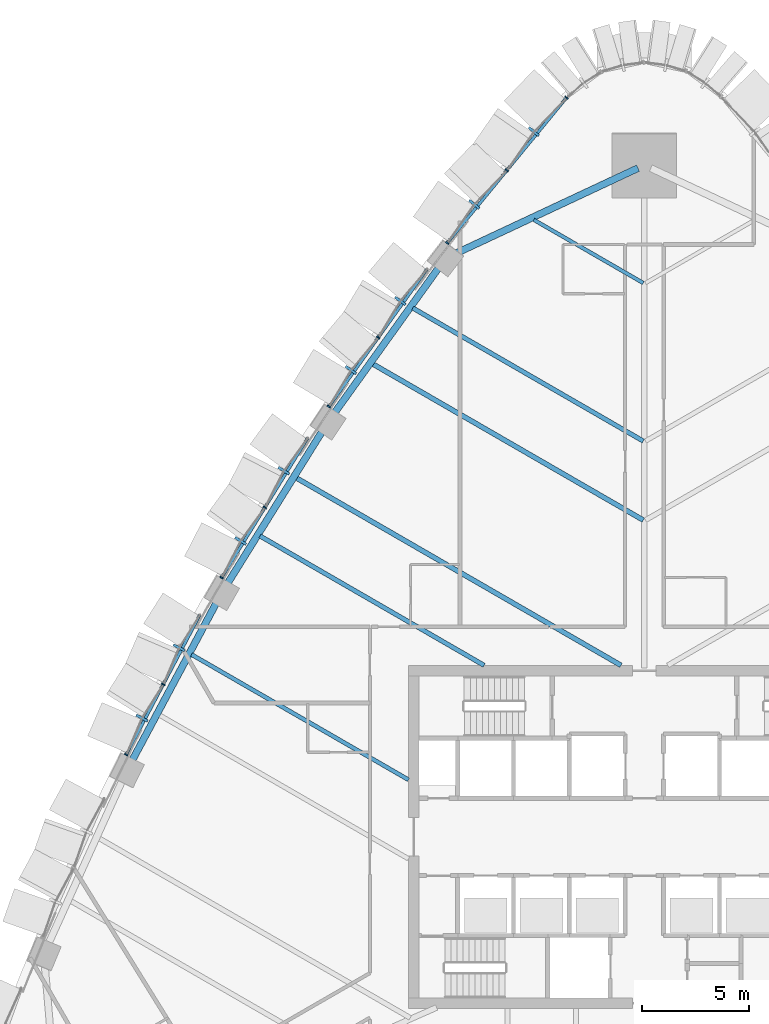
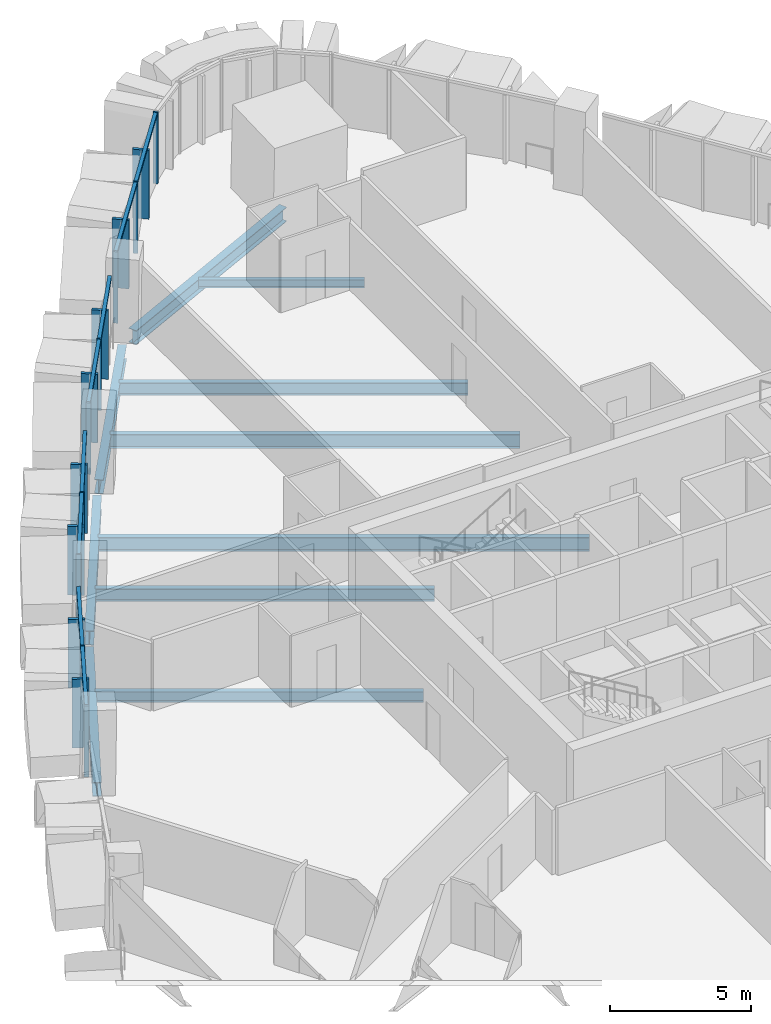
# One storey, part 6 of 23: 25 members, 10 beams, 4 elements without a shape of their own.
"""IFC4 building model written with IfcOpenShell, lengths in metres."""

from ifc_helpers import new_model, si_unit, direction, frame, origin, origin_2d, place, context, subcontext, project, spatial, rectangle, i_section, extrude, material, layer, layer_set, material_profile, profile_set, type_object, element, aggregate, save


model = new_model("IFC4")

# Units and contexts
model_context = context("Model", 3, precision=1e-05, world=origin(), true_north=direction((0.0, 1.0)))
body_context = subcontext(model_context, "Body", "Model", "MODEL_VIEW")
ifc_project = project(units=[si_unit("LENGTHUNIT", "METRE"), si_unit("AREAUNIT", "SQUARE_METRE"), si_unit("VOLUMEUNIT", "CUBIC_METRE"), si_unit("PLANEANGLEUNIT", "RADIAN"), si_unit("MASSUNIT", "GRAM", prefix="KILO")], contexts=[model_context])

# Site, building, storey
site_placement = place(None, origin())
site = spatial("IfcSite", under=ifc_project, at=site_placement, CompositionType="ELEMENT")
building_placement = place(site_placement, origin())
building = spatial("IfcBuilding", under=site, at=building_placement, Name="Sierra Prisma Convention Tower", CompositionType="ELEMENT")
storey_placement = place(building_placement, frame((0.0, 0.0, 51.699951171875)))
storey = spatial("IfcBuildingStorey", under=building, at=storey_placement, Name="L08", CompositionType="ELEMENT", Elevation=51.699951171875)

# Curtain wall, members
ifc_material_1 = material(Name="Aluminium and glass curtain wall", Category="aluminium")
ifc_layer = layer(ifc_material_1, 0.179931640625)
ifc_layer_set = layer_set([ifc_layer], Name="CW-2 Faceted crystal curtain wall")
curtain_wall_type = type_object("IfcCurtainWallType", Name="CW-2 Faceted crystal curtain wall", PredefinedType="NOTDEFINED", material=ifc_layer_set)
curtain_wall_1_placement = place(storey_placement, origin())
curtain_wall_1 = element("IfcCurtainWall", 1, at=curtain_wall_1_placement, inside=storey, type_object=curtain_wall_type, Name="CW-2 NW1 L08", PredefinedType="NOTDEFINED")
ifc_material_2 = material(Name="Aluminium 6063-T6 bronze anodised", Category="aluminium")
ifc_material_profile_1 = material_profile(ifc_material_2, rectangle(XDim=0.1201171875, YDim=0.60009765625, at=origin_2d()), Name="ALU RIDGE BLADE 120x600")
ifc_profile_set_1 = profile_set([ifc_material_profile_1], Name="Aluminium 6063-T6 bronze anodised")
member_type_1 = type_object("IfcMemberType", Name="CW hip bronze", PredefinedType="MULLION", material=ifc_profile_set_1)
member_1_placement = place(storey_placement, frame((-5.154296875, 32.88623046875, 0.0), z_axis=(0.0, 0.0, 1.0), x_axis=(-0.634539318992, -0.772890582588, 0.0)))
member_1 = element("IfcMember", 2, at=member_1_placement, type_object=member_type_1, Name="CW-2 ridge NW1.1", PredefinedType="MULLION", context=body_context, shape_type="SweptSolid", body=[
    extrude(rectangle(XDim=0.1201171875, YDim=0.60009765625, at=origin_2d()), origin(), (0.0, 0.0, 1.0), 2.97998046875),
])
member_2_placement = place(storey_placement, frame((-7.935546875, 29.49853515625, 0.0), z_axis=(0.0, 0.0, 1.0), x_axis=(-0.634539318992, -0.772890582588, 0.0)))
member_2 = element("IfcMember", 3, at=member_2_placement, type_object=member_type_1, Name="CW-2 ridge NW1.2", PredefinedType="MULLION", context=body_context, shape_type="SweptSolid", body=[
    extrude(rectangle(XDim=0.1201171875, YDim=0.60009765625, at=origin_2d()), origin(), (0.0, 0.0, 1.0), 2.97998046875),
])

curtain_wall_2_placement = place(storey_placement, origin())
curtain_wall_2 = element("IfcCurtainWall", 4, at=curtain_wall_2_placement, inside=storey, type_object=curtain_wall_type, Name="CW-2 NW2 L08", PredefinedType="NOTDEFINED")
member_3_placement = place(storey_placement, frame((-11.382080078125, 24.99560546875, 0.0), z_axis=(0.0, 0.0, 1.0), x_axis=(-0.580939607308, -0.813946664506, 0.0)))
member_3 = element("IfcMember", 5, at=member_3_placement, type_object=member_type_1, Name="CW-2 ridge NW2.1", PredefinedType="MULLION", context=body_context, shape_type="SweptSolid", body=[
    extrude(rectangle(XDim=0.1201171875, YDim=0.60009765625, at=origin_2d()), origin(), (0.0, 0.0, 1.0), 2.97998046875),
])
member_4_placement = place(storey_placement, frame((-13.684814453125, 21.76953125, 0.0), z_axis=(0.0, 0.0, 1.0), x_axis=(-0.580939607308, -0.813946664506, 0.0)))
member_4 = element("IfcMember", 6, at=member_4_placement, type_object=member_type_1, Name="CW-2 ridge NW2.2", PredefinedType="MULLION", context=body_context, shape_type="SweptSolid", body=[
    extrude(rectangle(XDim=0.1201171875, YDim=0.60009765625, at=origin_2d()), origin(), (0.0, 0.0, 1.0), 2.97998046875),
])

curtain_wall_3_placement = place(storey_placement, origin())
curtain_wall_3 = element("IfcCurtainWall", 7, at=curtain_wall_3_placement, inside=storey, type_object=curtain_wall_type, Name="CW-2 NW3 L08", PredefinedType="NOTDEFINED")
member_5_placement = place(storey_placement, frame((-16.814697265625, 17.07861328125, 0.0), z_axis=(0.0, 0.0, 1.0), x_axis=(-0.524691664455, -0.85129234535, 0.0)))
member_5 = element("IfcMember", 8, at=member_5_placement, type_object=member_type_1, Name="CW-2 ridge NW3.1", PredefinedType="MULLION", context=body_context, shape_type="SweptSolid", body=[
    extrude(rectangle(XDim=0.1201171875, YDim=0.60009765625, at=origin_2d()), origin(), (0.0, 0.0, 1.0), 2.97998046875),
])
member_6_placement = place(storey_placement, frame((-18.83154296875, 13.80615234375, 0.0), z_axis=(0.0, 0.0, 1.0), x_axis=(-0.524691664455, -0.85129234535, 0.0)))
member_6 = element("IfcMember", 9, at=member_6_placement, type_object=member_type_1, Name="CW-2 ridge NW3.2", PredefinedType="MULLION", context=body_context, shape_type="SweptSolid", body=[
    extrude(rectangle(XDim=0.1201171875, YDim=0.60009765625, at=origin_2d()), origin(), (0.0, 0.0, 1.0), 2.97998046875),
])

curtain_wall_4_placement = place(storey_placement, origin())
curtain_wall_4 = element("IfcCurtainWall", 10, at=curtain_wall_4_placement, inside=storey, type_object=curtain_wall_type, Name="CW-2 NW4 L08", PredefinedType="NOTDEFINED")
member_7_placement = place(storey_placement, frame((-21.699462890625, 8.822265625, 0.0), z_axis=(0.0, 0.0, 1.0), x_axis=(-0.466051898394, -0.884757383695, 0.0)))
member_7 = element("IfcMember", 11, at=member_7_placement, type_object=member_type_1, Name="CW-2 ridge NW4.1", PredefinedType="MULLION", context=body_context, shape_type="SweptSolid", body=[
    extrude(rectangle(XDim=0.1201171875, YDim=0.60009765625, at=origin_2d()), origin(), (0.0, 0.0, 1.0), 2.97998046875),
])
member_8_placement = place(storey_placement, frame((-23.427734375, 5.541015625, 0.0), z_axis=(0.0, 0.0, 1.0), x_axis=(-0.466051898394, -0.884757383695, 0.0)))
member_8 = element("IfcMember", 12, at=member_8_placement, type_object=member_type_1, Name="CW-2 ridge NW4.2", PredefinedType="MULLION", context=body_context, shape_type="SweptSolid", body=[
    extrude(rectangle(XDim=0.1201171875, YDim=0.60009765625, at=origin_2d()), origin(), (0.0, 0.0, 1.0), 2.97998046875),
])

# Member
ifc_material_3 = material(Name="Aluminium 6063-T6 bronze anodised", Category="aluminium")
ifc_material_profile_2 = material_profile(ifc_material_3, rectangle(XDim=0.179931640625, YDim=0.070068359375, at=origin_2d()), Name="ALU MULLION 70x180")
ifc_profile_set_2 = profile_set([ifc_material_profile_2], Name="Aluminium 6063-T6 bronze anodised")
member_type_2 = type_object("IfcMemberType", Name="CW mullion bronze", PredefinedType="MULLION", material=ifc_profile_set_2)
member_9_placement = place(storey_placement, frame((-3.632568359375, 34.472412109375, 0.0), z_axis=(0.0, 0.0, 1.0), x_axis=(0.772890582588, -0.634539318992, 0.0)))
member_9 = element("IfcMember", 13, at=member_9_placement, type_object=member_type_2, Name="CW-1 mullion NW1.1", PredefinedType="MULLION", context=body_context, shape_type="SweptSolid", body=[
    extrude(rectangle(XDim=0.179931640625, YDim=0.070068359375, at=origin_2d()), origin(), (0.0, 0.0, 1.0), 3.10009765625),
])

member_10_placement = place(storey_placement, frame((-6.413818359375, 31.084716796875, 0.0), z_axis=(0.0, 0.0, 1.0), x_axis=(0.772890582588, -0.634539318992, 0.0)))
member_10 = element("IfcMember", 14, at=member_10_placement, type_object=member_type_2, Name="CW-1 mullion NW1.2", PredefinedType="MULLION", context=body_context, shape_type="SweptSolid", body=[
    extrude(rectangle(XDim=0.179931640625, YDim=0.070068359375, at=origin_2d()), origin(), (0.0, 0.0, 1.0), 3.10009765625),
])

member_11_placement = place(storey_placement, frame((-9.195068359375, 27.697021484375, 0.0), z_axis=(0.0, 0.0, 1.0), x_axis=(0.772890582588, -0.634539318992, 0.0)))
member_11 = element("IfcMember", 15, at=member_11_placement, type_object=member_type_2, Name="CW-1 mullion NW1.3", PredefinedType="MULLION", context=body_context, shape_type="SweptSolid", body=[
    extrude(rectangle(XDim=0.179931640625, YDim=0.070068359375, at=origin_2d()), origin(), (0.0, 0.0, 1.0), 3.10009765625),
])

member_12_placement = place(storey_placement, frame((-12.40869140625, 23.29345703125, 0.0), z_axis=(0.0, 0.0, 1.0), x_axis=(0.813946664506, -0.580939607308, 0.0)))
member_12 = element("IfcMember", 16, at=member_12_placement, type_object=member_type_2, Name="CW-1 mullion NW2.2", PredefinedType="MULLION", context=body_context, shape_type="SweptSolid", body=[
    extrude(rectangle(XDim=0.179931640625, YDim=0.070068359375, at=origin_2d()), origin(), (0.0, 0.0, 1.0), 3.10009765625),
])

member_13_placement = place(storey_placement, frame((-14.71142578125, 20.0673828125, 0.0), z_axis=(0.0, 0.0, 1.0), x_axis=(0.813946664506, -0.580939607308, 0.0)))
member_13 = element("IfcMember", 17, at=member_13_placement, type_object=member_type_2, Name="CW-1 mullion NW2.3", PredefinedType="MULLION", context=body_context, shape_type="SweptSolid", body=[
    extrude(rectangle(XDim=0.179931640625, YDim=0.070068359375, at=origin_2d()), origin(), (0.0, 0.0, 1.0), 3.10009765625),
])

member_14_placement = place(storey_placement, frame((-17.69677734375, 15.364501953125, 0.0), z_axis=(0.0, 0.0, 1.0), x_axis=(0.85129234535, -0.524691664455, 0.0)))
member_14 = element("IfcMember", 18, at=member_14_placement, type_object=member_type_2, Name="CW-1 mullion NW3.2", PredefinedType="MULLION", context=body_context, shape_type="SweptSolid", body=[
    extrude(rectangle(XDim=0.179931640625, YDim=0.070068359375, at=origin_2d()), origin(), (0.0, 0.0, 1.0), 3.10009765625),
])

member_15_placement = place(storey_placement, frame((-19.713623046875, 12.091796875, 0.0), z_axis=(0.0, 0.0, 1.0), x_axis=(0.85129234535, -0.524691664455, 0.0)))
member_15 = element("IfcMember", 19, at=member_15_placement, type_object=member_type_2, Name="CW-1 mullion NW3.3", PredefinedType="MULLION", context=body_context, shape_type="SweptSolid", body=[
    extrude(rectangle(XDim=0.179931640625, YDim=0.070068359375, at=origin_2d()), origin(), (0.0, 0.0, 1.0), 3.10009765625),
])

member_16_placement = place(storey_placement, frame((-22.43701171875, 7.114990234375, 0.0), z_axis=(0.0, 0.0, 1.0), x_axis=(0.884757383695, -0.466051898394, 0.0)))
member_16 = element("IfcMember", 20, at=member_16_placement, type_object=member_type_2, Name="CW-1 mullion NW4.2", PredefinedType="MULLION", context=body_context, shape_type="SweptSolid", body=[
    extrude(rectangle(XDim=0.179931640625, YDim=0.070068359375, at=origin_2d()), origin(), (0.0, 0.0, 1.0), 3.10009765625),
])

member_17_placement = place(storey_placement, frame((-24.165283203125, 3.833740234375, 0.0), z_axis=(0.0, 0.0, 1.0), x_axis=(0.884757383695, -0.466051898394, 0.0)))
member_17 = element("IfcMember", 21, at=member_17_placement, type_object=member_type_2, Name="CW-1 mullion NW4.3", PredefinedType="MULLION", context=body_context, shape_type="SweptSolid", body=[
    extrude(rectangle(XDim=0.179931640625, YDim=0.070068359375, at=origin_2d()), origin(), (0.0, 0.0, 1.0), 3.10009765625),
])

ifc_material_4 = material(Name="Aluminium 6063-T6 bronze anodised", Category="aluminium")
ifc_material_profile_3 = material_profile(ifc_material_4, rectangle(XDim=0.139892578125, YDim=0.1201171875, at=origin_2d()), Name="ALU TRANSOM 120x140")
ifc_profile_set_3 = profile_set([ifc_material_profile_3], Name="Aluminium 6063-T6 bronze anodised")
member_type_3 = type_object("IfcMemberType", Name="CW transom bronze", PredefinedType="USERDEFINED", material=ifc_profile_set_3)
member_18_placement = place(storey_placement, frame((-3.65478515625, 34.4453125, 3.0400390625), z_axis=(-0.634516089998, -0.772909652892, 0.0), x_axis=(0.772909652892, -0.634516089998, 0.0)))
member_18 = element("IfcMember", 22, at=member_18_placement, type_object=member_type_3, Name="CW-1 transom NW1.1", ObjectType="TRANSOM", PredefinedType="USERDEFINED", context=body_context, shape_type="SweptSolid", body=[
    extrude(rectangle(XDim=0.139892578125, YDim=0.1201171875, at=origin_2d()), origin(), (0.0, 0.0, 1.0), 4.313232421875),
])

member_19_placement = place(storey_placement, frame((-6.43603515625, 31.0576171875, 3.0400390625), z_axis=(-0.634516089998, -0.772909652892, 0.0), x_axis=(0.772909652892, -0.634516089998, 0.0)))
member_19 = element("IfcMember", 23, at=member_19_placement, type_object=member_type_3, Name="CW-1 transom NW1.2", ObjectType="TRANSOM", PredefinedType="USERDEFINED", context=body_context, shape_type="SweptSolid", body=[
    extrude(rectangle(XDim=0.139892578125, YDim=0.1201171875, at=origin_2d()), origin(), (0.0, 0.0, 1.0), 4.313232421875),
])

aggregate(curtain_wall_1, [member_9, member_10, member_11, member_18, member_1, member_19, member_2])

member_20_placement = place(storey_placement, frame((-10.12646484375, 26.4912109375, 3.0400390625), z_axis=(-0.580941587746, -0.813945251001, 0.0), x_axis=(0.813945251001, -0.580941587746, 0.0)))
member_20 = element("IfcMember", 24, at=member_20_placement, type_object=member_type_3, Name="CW-1 transom NW2.1", ObjectType="TRANSOM", PredefinedType="USERDEFINED", context=body_context, shape_type="SweptSolid", body=[
    extrude(rectangle(XDim=0.139892578125, YDim=0.1201171875, at=origin_2d()), origin(), (0.0, 0.0, 1.0), 3.8935546875),
])

member_21_placement = place(storey_placement, frame((-12.428955078125, 23.26513671875, 3.0400390625), z_axis=(-0.580941587746, -0.813945251001, 0.0), x_axis=(0.813945251001, -0.580941587746, 0.0)))
member_21 = element("IfcMember", 25, at=member_21_placement, type_object=member_type_3, Name="CW-1 transom NW2.2", ObjectType="TRANSOM", PredefinedType="USERDEFINED", context=body_context, shape_type="SweptSolid", body=[
    extrude(rectangle(XDim=0.139892578125, YDim=0.1201171875, at=origin_2d()), origin(), (0.0, 0.0, 1.0), 3.8935546875),
])

aggregate(curtain_wall_2, [member_12, member_13, member_20, member_3, member_21, member_4])

member_22_placement = place(storey_placement, frame((-15.697998046875, 18.607177734375, 3.0400390625), z_axis=(-0.524685601887, -0.851296081967, 0.0), x_axis=(0.851296081967, -0.524685601887, 0.0)))
member_22 = element("IfcMember", 26, at=member_22_placement, type_object=member_type_3, Name="CW-1 transom NW3.1", ObjectType="TRANSOM", PredefinedType="USERDEFINED", context=body_context, shape_type="SweptSolid", body=[
    extrude(rectangle(XDim=0.139892578125, YDim=0.1201171875, at=origin_2d()), origin(), (0.0, 0.0, 1.0), 3.774169921875),
])

member_23_placement = place(storey_placement, frame((-17.715087890625, 15.334716796875, 3.0400390625), z_axis=(-0.524656709385, -0.85131388882, 0.0), x_axis=(0.85131388882, -0.524656709385, 0.0)))
member_23 = element("IfcMember", 27, at=member_23_placement, type_object=member_type_3, Name="CW-1 transom NW3.2", ObjectType="TRANSOM", PredefinedType="USERDEFINED", context=body_context, shape_type="SweptSolid", body=[
    extrude(rectangle(XDim=0.139892578125, YDim=0.1201171875, at=origin_2d()), origin(), (0.0, 0.0, 1.0), 3.7744140625),
])

aggregate(curtain_wall_3, [member_14, member_15, member_22, member_5, member_23, member_6])

member_24_placement = place(storey_placement, frame((-20.724853515625, 10.364990234375, 3.0400390625), z_axis=(-0.466089330437, -0.884737665104, 0.0), x_axis=(0.884737665104, -0.466089330437, 0.0)))
member_24 = element("IfcMember", 28, at=member_24_placement, type_object=member_type_3, Name="CW-1 transom NW4.1", ObjectType="TRANSOM", PredefinedType="USERDEFINED", context=body_context, shape_type="SweptSolid", body=[
    extrude(rectangle(XDim=0.139892578125, YDim=0.1201171875, at=origin_2d()), origin(), (0.0, 0.0, 1.0), 3.638427734375),
])

member_25_placement = place(storey_placement, frame((-22.453125, 7.083984375, 3.0400390625), z_axis=(-0.466061661284, -0.884752240958, 0.0), x_axis=(0.884752240958, -0.466061661284, 0.0)))
member_25 = element("IfcMember", 29, at=member_25_placement, type_object=member_type_3, Name="CW-1 transom NW4.2", ObjectType="TRANSOM", PredefinedType="USERDEFINED", context=body_context, shape_type="SweptSolid", body=[
    extrude(rectangle(XDim=0.139892578125, YDim=0.1201171875, at=origin_2d()), origin(), (0.0, 0.0, 1.0), 3.638671875),
])

aggregate(curtain_wall_4, [member_16, member_17, member_24, member_7, member_25, member_8])

# Beams
ifc_material_5 = material(Name="Steel ASTM A992 Gr 50", Category="steel")
ifc_material_profile_4 = material_profile(ifc_material_5, i_section(OverallWidth=0.172119140625, OverallDepth=0.35791015625, WebThickness=0.0078125, FlangeThickness=0.01318359375, at=origin_2d()), Name="W360x57")
ifc_profile_set_4 = profile_set([ifc_material_profile_4], Name="Steel ASTM A992 Gr 50")
beam_type_1 = type_object("IfcBeamType", Name="Floor joist W360x57", PredefinedType="JOIST", material=ifc_profile_set_4)
beam_1_placement = place(storey_placement, frame((-5.158447265625, 28.775634765625, -0.328857421875), z_axis=(0.866017313224, -0.500014013, 0.0), x_axis=(0.500014013, 0.866017313224, 0.0)))
element("IfcBeam", 30, at=beam_1_placement, inside=storey, type_object=beam_type_1, Name="Floor joist L08 NW02", PredefinedType="JOIST", context=body_context, shape_type="SweptSolid", body=[
    extrude(i_section(OverallWidth=0.172119140625, OverallDepth=0.35791015625, WebThickness=0.0078125, FlangeThickness=0.01318359375, at=origin_2d()), origin(), (0.0, 0.0, 1.0), 5.895263671875),
])
ifc_material_6 = material(Name="Steel ASTM A992 Gr 50", Category="steel")
ifc_material_profile_5 = material_profile(ifc_material_6, i_section(OverallWidth=0.18994140625, OverallDepth=0.45703125, WebThickness=0.009033203125, FlangeThickness=0.014404296875, at=origin_2d()), Name="W460x74")
ifc_profile_set_5 = profile_set([ifc_material_profile_5], Name="Steel ASTM A992 Gr 50")
beam_type_2 = type_object("IfcBeamType", Name="Floor joist W460x74", PredefinedType="JOIST", material=ifc_profile_set_5)
beam_2_placement = place(storey_placement, frame((-21.11669921875, 8.50634765625, -0.37841796875), z_axis=(0.866027579816, -0.499996230984, 0.0), x_axis=(0.499996230984, 0.866027579816, 0.0)))
element("IfcBeam", 31, at=beam_2_placement, inside=storey, type_object=beam_type_2, Name="Floor joist L08 NW10", PredefinedType="JOIST", context=body_context, shape_type="SweptSolid", body=[
    extrude(i_section(OverallWidth=0.18994140625, OverallDepth=0.45703125, WebThickness=0.009033203125, FlangeThickness=0.014404296875, at=origin_2d()), origin(), (0.0, 0.0, 1.0), 11.681640625),
])
ifc_material_7 = material(Name="Steel ASTM A992 Gr 50", Category="steel")
ifc_material_profile_6 = material_profile(ifc_material_7, i_section(OverallWidth=0.208984375, OverallDepth=0.532958984375, WebThickness=0.01025390625, FlangeThickness=0.015625, at=origin_2d()), Name="W530x92")
ifc_profile_set_6 = profile_set([ifc_material_profile_6], Name="Steel ASTM A992 Gr 50")
beam_type_3 = type_object("IfcBeamType", Name="Floor joist W530x92", PredefinedType="JOIST", material=ifc_profile_set_6)
beam_3_placement = place(storey_placement, frame((-10.800537109375, 24.662353515625, -0.41650390625), z_axis=(0.866026371058, -0.499998324629, 0.0), x_axis=(0.499998324629, 0.866026371058, 0.0)))
element("IfcBeam", 32, at=beam_3_placement, inside=storey, type_object=beam_type_3, Name="Floor joist L08 NW04", PredefinedType="JOIST", context=body_context, shape_type="SweptSolid", body=[
    extrude(i_section(OverallWidth=0.208984375, OverallDepth=0.532958984375, WebThickness=0.01025390625, FlangeThickness=0.015625, at=origin_2d()), origin(), (0.0, 0.0, 1.0), 12.41015625),
])
beam_4_placement = place(storey_placement, frame((-17.925048828125, 14.034423828125, -0.41650390625), z_axis=(0.866024899016, -0.500000874284, 0.0), x_axis=(0.500000874284, 0.866024899016, 0.0)))
element("IfcBeam", 33, at=beam_4_placement, inside=storey, type_object=beam_type_3, Name="Floor joist L08 NW08", PredefinedType="JOIST", context=body_context, shape_type="SweptSolid", body=[
    extrude(i_section(OverallWidth=0.208984375, OverallDepth=0.532958984375, WebThickness=0.01025390625, FlangeThickness=0.015625, at=origin_2d()), origin(), (0.0, 0.0, 1.0), 12.06884765625),
])
ifc_material_8 = material(Name="Steel ASTM A992 Gr 50", Category="steel")
ifc_material_profile_7 = material_profile(ifc_material_8, i_section(OverallWidth=0.22802734375, OverallDepth=0.60302734375, WebThickness=0.010498046875, FlangeThickness=0.014892578125, at=origin_2d()), Name="W610x101")
ifc_profile_set_7 = profile_set([ifc_material_profile_7], Name="Steel ASTM A992 Gr 50")
beam_type_4 = type_object("IfcBeamType", Name="Floor joist W610x101", PredefinedType="JOIST", material=ifc_profile_set_7)
beam_5_placement = place(storey_placement, frame((-12.670166015625, 22.056396484375, -0.451416015625), z_axis=(0.866028755498, -0.499994194617, 0.0), x_axis=(0.499994194617, 0.866028755498, 0.0)))
element("IfcBeam", 34, at=beam_5_placement, inside=storey, type_object=beam_type_4, Name="Floor joist L08 NW05", PredefinedType="JOIST", context=body_context, shape_type="SweptSolid", body=[
    extrude(i_section(OverallWidth=0.22802734375, OverallDepth=0.60302734375, WebThickness=0.010498046875, FlangeThickness=0.014892578125, at=origin_2d()), origin(), (0.0, 0.0, 1.0), 14.569091796875),
])
beam_6_placement = place(storey_placement, frame((-16.23828125, 16.745849609375, -0.451416015625), z_axis=(0.866024510222, -0.500001547693, 0.0), x_axis=(0.500001547693, 0.866024510222, 0.0)))
element("IfcBeam", 35, at=beam_6_placement, inside=storey, type_object=beam_type_4, Name="Floor joist L08 NW07", PredefinedType="JOIST", context=body_context, shape_type="SweptSolid", body=[
    extrude(i_section(OverallWidth=0.22802734375, OverallDepth=0.60302734375, WebThickness=0.010498046875, FlangeThickness=0.014892578125, at=origin_2d()), origin(), (0.0, 0.0, 1.0), 17.49169921875),
])
ifc_material_9 = material(Name="Steel ASTM A992 Gr 50", Category="steel")
ifc_material_profile_8 = material_profile(ifc_material_9, i_section(OverallWidth=0.324951171875, OverallDepth=0.615966796875, WebThickness=0.013916015625, FlangeThickness=0.021484375, at=origin_2d()), Name="W610x174")
ifc_profile_set_8 = profile_set([ifc_material_profile_8], Name="Steel ASTM A992 Gr 50")
beam_type_5 = type_object("IfcBeamType", Name="Spandrel beam W610x174", PredefinedType="BEAM", material=ifc_profile_set_8)
beam_7_placement = place(storey_placement, frame((-0.300048828125, 31.184814453125, -0.4580078125), z_axis=(-0.905630943545, -0.424066733068, 0.0), x_axis=(0.424066733068, -0.905630943545, 0.0)))
element("IfcBeam", 36, at=beam_7_placement, inside=storey, type_object=beam_type_5, Name="Spandrel L08-13", PredefinedType="BEAM", context=body_context, shape_type="SweptSolid", body=[
    extrude(i_section(OverallWidth=0.324951171875, OverallDepth=0.615966796875, WebThickness=0.013916015625, FlangeThickness=0.021484375, at=origin_2d()), origin(), (0.0, 0.0, 1.0), 9.354248046875),
])
beam_8_placement = place(storey_placement, frame((-9.5546875, 26.592041015625, -0.4580078125), z_axis=(-0.582971056389, -0.812492921454, 0.0), x_axis=(0.812492921454, -0.582971056389, 0.0)))
element("IfcBeam", 37, at=beam_8_placement, inside=storey, type_object=beam_type_5, Name="Spandrel L08-14", PredefinedType="BEAM", context=body_context, shape_type="SweptSolid", body=[
    extrude(i_section(OverallWidth=0.324951171875, OverallDepth=0.615966796875, WebThickness=0.013916015625, FlangeThickness=0.021484375, at=origin_2d()), origin(), (0.0, 0.0, 1.0), 8.4296875),
])
for number, where, z_axis, x_axis, name in (
    (38, (-15.002685546875, 18.94482421875, -0.4580078125), (-0.528253634333, -0.849086625624, 0.0), (0.849086625624, -0.528253634333, 0.0), "Spandrel L08-15"),
    (39, (-19.935791015625, 10.95556640625, -0.4580078125), (-0.471226960967, -0.882011990428, 0.0), (0.882011990428, -0.471226960967, 0.0), "Spandrel L08-16"),
):
    element("IfcBeam", number, at=place(storey_placement, frame(where, z_axis=z_axis, x_axis=x_axis)), inside=storey, type_object=beam_type_5, Name=name, PredefinedType="BEAM", context=body_context, shape_type="SweptSolid", body=[
        extrude(i_section(OverallWidth=0.324951171875, OverallDepth=0.615966796875, WebThickness=0.013916015625, FlangeThickness=0.021484375, at=origin_2d()), origin(), (0.0, 0.0, 1.0), 8.429931640625),
    ])

save(model, "model.ifc")
